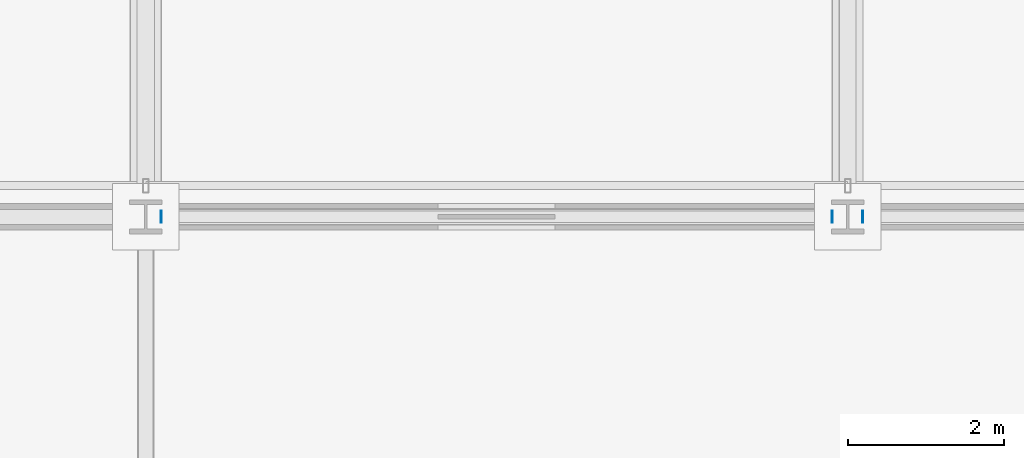
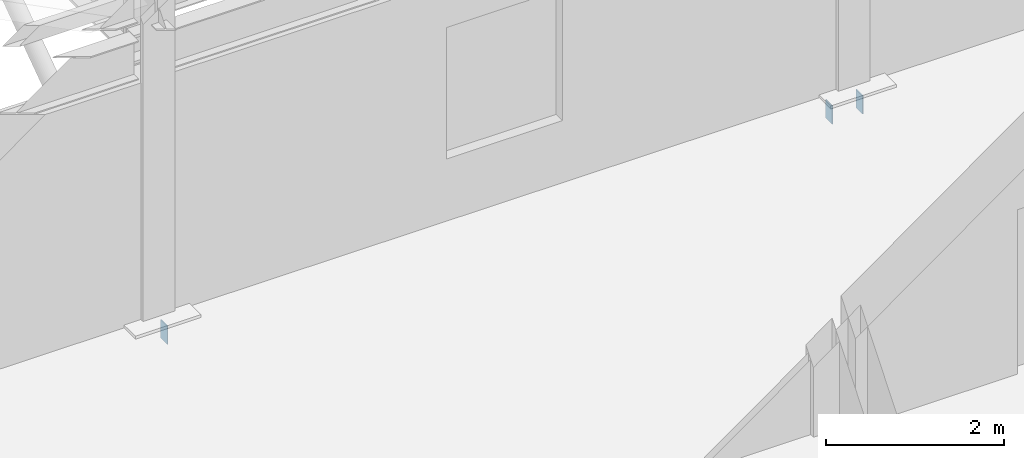
# One storey, part 110 of 136: 3 discrete accessories.
"""IFC4 building model written with IfcOpenShell, lengths in metres."""

from ifc_helpers import new_model, si_unit, direction, frame, origin, place, context, subcontext, project, spatial, polyline, outline, extrude, material, layer, layer_set, type_object, element, save


model = new_model("IFC4")

# Units and contexts
model_context = context("Model", 3, precision=1e-05, world=origin(), true_north=direction((0.0, 1.0)))
body_context = subcontext(model_context, "Body", "Model", "MODEL_VIEW")
ifc_project = project(units=[si_unit("LENGTHUNIT", "METRE"), si_unit("AREAUNIT", "SQUARE_METRE"), si_unit("VOLUMEUNIT", "CUBIC_METRE"), si_unit("PLANEANGLEUNIT", "RADIAN"), si_unit("MASSUNIT", "GRAM", prefix="KILO")], contexts=[model_context])

# Site, building, storey
site_placement = place(None, origin())
site = spatial("IfcSite", under=ifc_project, at=site_placement, CompositionType="ELEMENT")
building_placement = place(site_placement, origin())
building = spatial("IfcBuilding", under=site, at=building_placement, Name="Kisiwana Market Hall", CompositionType="ELEMENT")
storey_placement = place(building_placement, frame((0.0, 0.0, 16.800048828125)))
storey = spatial("IfcBuildingStorey", under=building, at=storey_placement, Name="L03", CompositionType="ELEMENT", Elevation=16.800048828125)

# Discrete accessories
ifc_material = material(Name="Steel S355", Category="steel")
ifc_layer = layer(ifc_material, 0.011962890625)
ifc_layer_set = layer_set([ifc_layer], Name="ACC-ENDCAP-STL")
discrete_accessory_type = type_object("IfcDiscreteAccessoryType", Name="ACC-ENDCAP-STL", PredefinedType="USERDEFINED", material=ifc_layer_set)
discrete_accessory_1_placement = place(storey_placement, frame((0.0, 0.0, -0.5)))
element("IfcDiscreteAccessory", 1, at=discrete_accessory_1_placement, inside=storey, type_object=discrete_accessory_type, Name="End cap plate EC-0031", ObjectType="End cap plate", PredefinedType="USERDEFINED", context=body_context, shape_type="SweptSolid", body=[
    extrude(outline(polyline([(89.798095703125, 35.925048828125), (89.81005859375, 35.925048828125), (89.81005859375, 36.074951171875), (89.798095703125, 36.074951171875), (89.798095703125, 35.925048828125)])), origin(), (0.0, 0.0, 1.0), 0.25),
])
discrete_accessory_2_placement = place(storey_placement, frame((0.0, 0.0, -0.5)))
element("IfcDiscreteAccessory", 2, at=discrete_accessory_2_placement, inside=storey, type_object=discrete_accessory_type, Name="End cap plate EC-0032", ObjectType="End cap plate", PredefinedType="USERDEFINED", context=body_context, shape_type="SweptSolid", body=[
    extrude(outline(polyline([(81.201904296875, 35.925048828125), (81.201904296875, 36.074951171875), (81.18994140625, 36.074951171875), (81.18994140625, 35.925048828125), (81.201904296875, 35.925048828125)])), origin(), (0.0, 0.0, 1.0), 0.25),
])
discrete_accessory_3_placement = place(storey_placement, frame((0.0, 0.0, -0.5)))
element("IfcDiscreteAccessory", 3, at=discrete_accessory_3_placement, inside=storey, type_object=discrete_accessory_type, Name="End cap plate EC-0034", ObjectType="End cap plate", PredefinedType="USERDEFINED", context=body_context, shape_type="SweptSolid", body=[
    extrude(outline(polyline([(90.201904296875, 35.925048828125), (90.201904296875, 36.074951171875), (90.18994140625, 36.074951171875), (90.18994140625, 35.925048828125), (90.201904296875, 35.925048828125)])), origin(), (0.0, 0.0, 1.0), 0.25),
])

save(model, "model.ifc")
